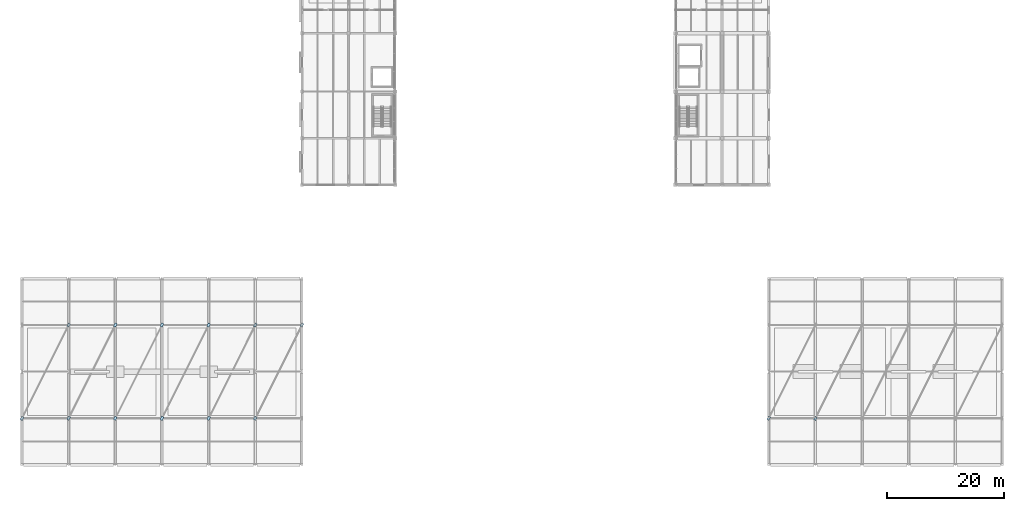
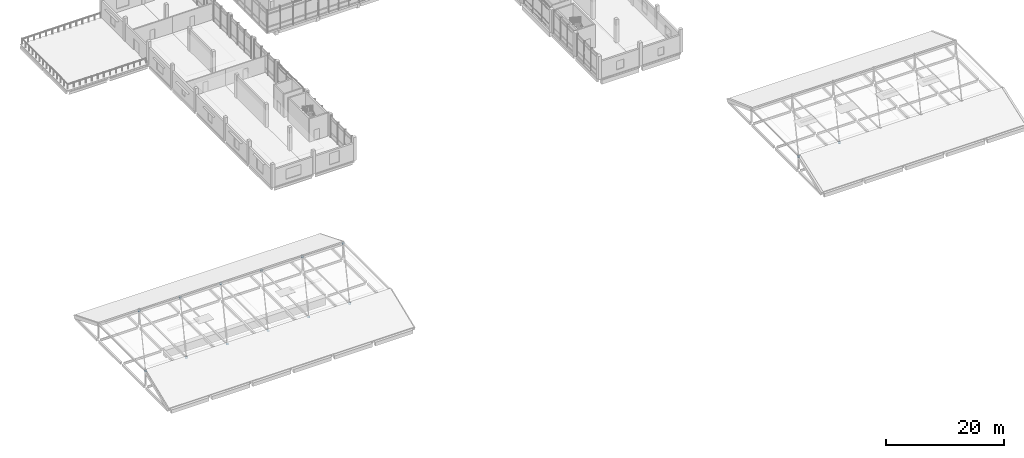
# One storey, part 31 of 47: 14 plates.
"""IFC4 building model written with IfcOpenShell, lengths in metres."""

from ifc_helpers import new_model, si_unit, direction, frame, origin, origin_2d, place, context, subcontext, project, spatial, rectangle, extrude, material, layer, layer_set, type_object, element, save


model = new_model("IFC4")

# Units and contexts
model_context = context("Model", 3, precision=1e-05, world=origin(), true_north=direction((0.0, 1.0)))
body_context = subcontext(model_context, "Body", "Model", "MODEL_VIEW")
ifc_project = project(units=[si_unit("LENGTHUNIT", "METRE"), si_unit("AREAUNIT", "SQUARE_METRE"), si_unit("VOLUMEUNIT", "CUBIC_METRE"), si_unit("PLANEANGLEUNIT", "RADIAN"), si_unit("MASSUNIT", "GRAM", prefix="KILO")], contexts=[model_context])

# Site, building, storey
site_placement = place(None, origin())
site = spatial("IfcSite", under=ifc_project, at=site_placement, CompositionType="ELEMENT")
building_placement = place(site_placement, origin())
building = spatial("IfcBuilding", under=site, at=building_placement, Name="Pecanmere Concourse Central Library", CompositionType="ELEMENT")
storey_placement = place(building_placement, frame((0.0, 0.0, 15.300048828125)))
storey = spatial("IfcBuildingStorey", under=building, at=storey_placement, Name="L04", CompositionType="ELEMENT", Elevation=15.300048828125)

# Plates
ifc_material = material(Name="Structural steel ASTM A572 Grade 50", Category="steel")
ifc_layer = layer(ifc_material, 0.02197265625, Name="PLT_GUSSET_BRC")
ifc_layer_set = layer_set([ifc_layer], Name="Structural steel ASTM A572 Grade 50")
plate_type = type_object("IfcPlateType", Name="PLT_GUSSET_BRC", PredefinedType="SHEET", material=ifc_layer_set)
for number, where, z_axis, x_axis, name in (
    (1, (0.0, 8.0, 2.8427734375), (0.0, 0.0, 1.0), (0.447290848419, 0.89438856037, 0.0), "Pavilion Brace End Gusset Plate 024-S"),
    (2, (8.0, 24.0, 2.8427734375), (0.0, 0.0, 1.0), (0.447290848419, 0.89438856037, 0.0), "Pavilion Brace End Gusset Plate 024-N"),
    (3, (8.0, 8.0, 2.8427734375), (0.0, 0.0, 1.0), (0.447290848419, 0.89438856037, 0.0), "Pavilion Brace End Gusset Plate 027-S"),
    (4, (16.0, 24.0, 2.8427734375), (0.0, 0.0, 1.0), (0.447290848419, 0.89438856037, 0.0), "Pavilion Brace End Gusset Plate 027-N"),
    (5, (16.0, 8.0, 2.8427734375), (0.0, 0.0, 1.0), (0.447290848419, 0.89438856037, 0.0), "Pavilion Brace End Gusset Plate 030-S"),
    (6, (24.0, 24.0, 2.8427734375), (0.0, 0.0, 1.0), (0.447290848419, 0.89438856037, 0.0), "Pavilion Brace End Gusset Plate 030-N"),
    (7, (24.0, 8.0, 2.8427734375), (0.0, 0.0, 1.0), (0.447290848419, 0.89438856037, 0.0), "Pavilion Brace End Gusset Plate 033-S"),
    (8, (32.0, 24.0, 2.8427734375), (0.0, 0.0, 1.0), (0.447290848419, 0.89438856037, 0.0), "Pavilion Brace End Gusset Plate 033-N"),
    (9, (32.0, 8.0, 2.8427734375), (0.0, 0.0, 1.0), (0.447290848419, 0.89438856037, 0.0), "Pavilion Brace End Gusset Plate 036-S"),
    (10, (40.0, 24.0, 2.8427734375), (0.0, 0.0, 1.0), (0.447290848419, 0.89438856037, 0.0), "Pavilion Brace End Gusset Plate 036-N"),
    (11, (40.0, 8.0, 2.8427734375), (0.0, 0.0, 1.0), (0.447290848419, 0.89438856037, 0.0), "Pavilion Brace End Gusset Plate 039-S"),
    (12, (48.0, 24.0, 2.8427734375), (0.0, 0.0, 1.0), (0.447290848419, 0.89438856037, 0.0), "Pavilion Brace End Gusset Plate 039-N"),
    (13, (128.0, 8.0, 2.557373046875), (0.0, 0.0, 1.0), (0.447290848419, 0.89438856037, 0.0), "Pavilion Brace End Gusset Plate 070-S"),
    (14, (136.0, 8.0, 2.557373046875), (0.0, 0.0, 1.0), (0.447290848419, 0.89438856037, 0.0), "Pavilion Brace End Gusset Plate 073-S"),
):
    element("IfcPlate", number, at=place(storey_placement, frame(where, z_axis=z_axis, x_axis=x_axis)), inside=storey, type_object=plate_type, Name=name, PredefinedType="SHEET", context=body_context, shape_type="SweptSolid", body=[
        extrude(rectangle(XDim=0.6201171875, YDim=0.419921875, at=origin_2d()), origin(), (0.0, 0.0, 1.0), 0.02197265625),
    ])

save(model, "model.ifc")
